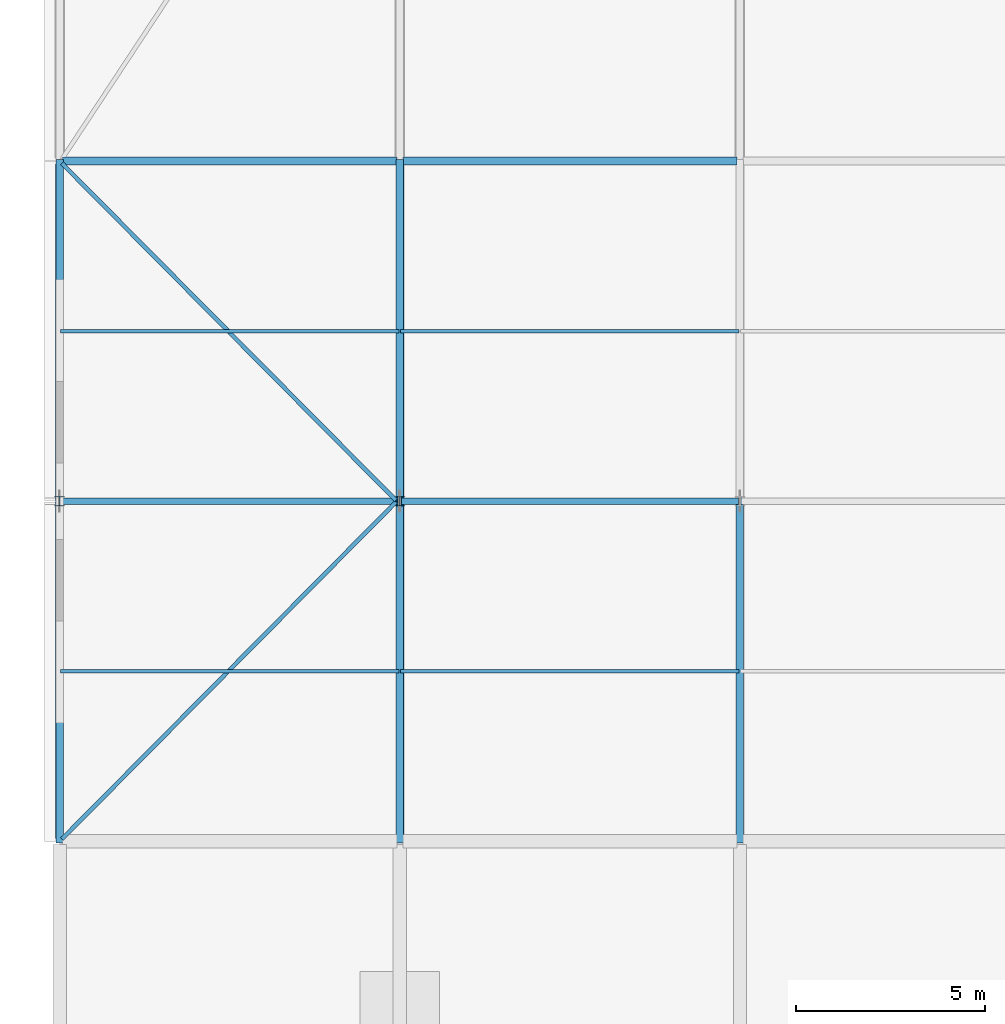
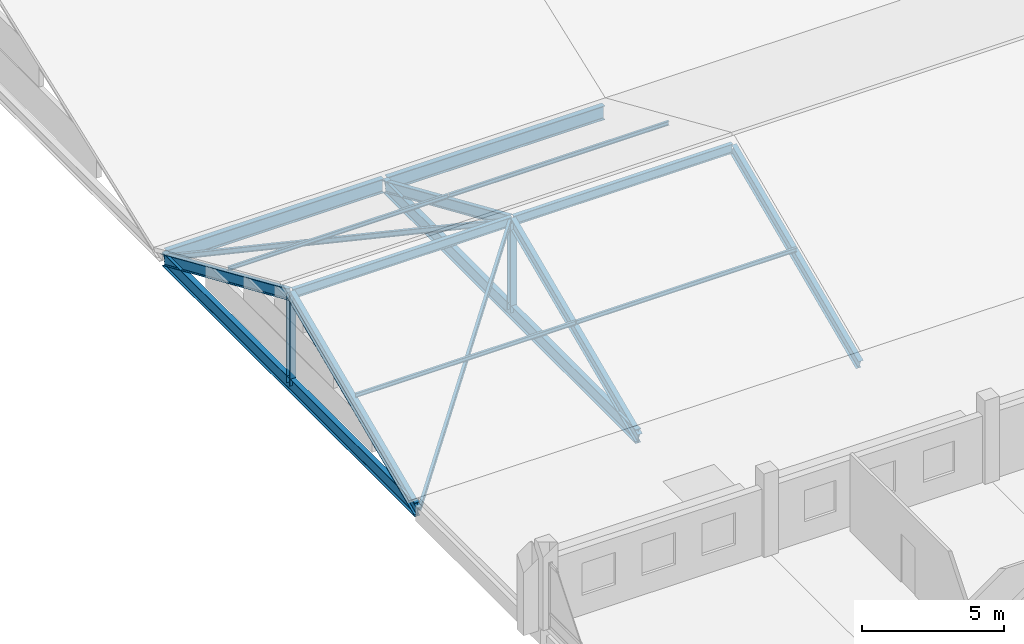
# One storey, part 15 of 163: 15 members, 4 beams.
"""IFC4 building model written with IfcOpenShell, lengths in metres."""

import ifcopenshell
import ifcopenshell.guid

model = None  # the IFC model being written
_history = None  # IfcOwnerHistory: only IFC2X3 demands one
_inside = {}  # id of a spatial element -> (the spatial element, [elements in it])
_under = {}  # id of a project, library or spatial element -> (it, [spatial elements below it])
_declared = {}  # id of a project -> (the project, [libraries it declares])
_typed = {}  # id of a type object -> (the type object, [elements of that type])
_made_of = {}  # id of a material, layer set ... -> (it, [elements and type objects made of it])


def new_model(schema):
    """Start an empty IFC model of exactly this schema.

    Asked for "IFC4X3", IfcOpenShell would pick the latest addendum, in which some entities
    have other attributes; the version numbers below select the first issue.
    IFC2X3 requires an IfcOwnerHistory on every rooted entity: one is made here for all.
    """
    global model, _history
    if schema == "IFC4X3":
        model = ifcopenshell.file(schema_version=(4, 3, 0, 0))
    else:
        model = ifcopenshell.file(schema=schema)
    _inside.clear()
    _under.clear()
    _declared.clear()
    _typed.clear()
    _made_of.clear()
    _history = None
    if model.schema == "IFC2X3":
        org = make("IfcOrganization", Name="unknown")
        user = make(
            "IfcPersonAndOrganization",
            ThePerson=make("IfcPerson", FamilyName="unknown"),
            TheOrganization=org,
        )
        app = make(
            "IfcApplication",
            ApplicationDeveloper=org,
            Version="unknown",
            ApplicationFullName="unknown",
            ApplicationIdentifier="unknown",
        )
        _history = make(
            "IfcOwnerHistory",
            OwningUser=user,
            OwningApplication=app,
            ChangeAction="ADDED",
            CreationDate=0,
        )
    return model


def make(cls, **values):
    """One entity of the class cls with the attributes given. An attribute that is None is left unset."""
    return model.create_entity(
        cls, **{name: value for name, value in values.items() if value is not None}
    )


def rooted(cls, **values):
    """An entity with a GlobalId (a new one), such as an element, a storey or a relation."""
    return make(cls, GlobalId=ifcopenshell.guid.new(), OwnerHistory=_history, **values)


def si_unit(unit_type, name, prefix=None):
    """IfcSIUnit, for example si_unit("LENGTHUNIT", "METRE", prefix="MILLI")."""
    return make("IfcSIUnit", UnitType=unit_type, Prefix=prefix, Name=name)


def assignment(units):
    """IfcUnitAssignment: the units of a project."""
    return None if units is None else make("IfcUnitAssignment", Units=units)


def point(xyz):
    """IfcCartesianPoint."""
    return None if xyz is None else make("IfcCartesianPoint", Coordinates=xyz)


def direction(xyz):
    """IfcDirection."""
    return None if xyz is None else make("IfcDirection", DirectionRatios=xyz)


def frame(location, z_axis=None, x_axis=None):
    """IfcAxis2Placement3D, a coordinate frame: its origin and axes. An axis left out is left unset."""
    return make(
        "IfcAxis2Placement3D",
        Location=point(location),
        Axis=direction(z_axis),
        RefDirection=direction(x_axis),
    )


def frame_2d(location, x_axis=None):
    """IfcAxis2Placement2D, a coordinate frame in the plane: its origin and x axis."""
    return make(
        "IfcAxis2Placement2D", Location=point(location), RefDirection=direction(x_axis)
    )


def origin():
    """The frame at (0, 0, 0) with its axes left unset."""
    return frame((0.0, 0.0, 0.0))


def origin_2d():
    """The frame at (0, 0) in the plane with its x axis left unset."""
    return frame_2d((0.0, 0.0))


def place(relative_to, where):
    """IfcLocalPlacement: puts the frame where relative to a parent placement (None: the world)."""
    return make(
        "IfcLocalPlacement", PlacementRelTo=relative_to, RelativePlacement=where
    )


def context(
    kind, dimensions, precision=None, world=None, true_north=None, identifier=None
):
    """IfcGeometricRepresentationContext, for example the 3D "Model" context."""
    return make(
        "IfcGeometricRepresentationContext",
        ContextIdentifier=identifier,
        ContextType=kind,
        CoordinateSpaceDimension=dimensions,
        Precision=precision,
        WorldCoordinateSystem=world,
        TrueNorth=true_north,
    )


def subcontext(parent, identifier, kind, view, scale=None):
    """IfcGeometricRepresentationSubContext, for example "Body" below "Model"."""
    return make(
        "IfcGeometricRepresentationSubContext",
        ContextIdentifier=identifier,
        ContextType=kind,
        ParentContext=parent,
        TargetScale=scale,
        TargetView=view,
    )


def project(units=None, contexts=None):
    """IfcProject with its units and contexts."""
    return rooted(
        "IfcProject",
        Name="project",
        RepresentationContexts=contexts,
        UnitsInContext=assignment(units),
    )


def spatial(cls, under=None, at=None, **own):
    """A site, building, storey or space (cls), placed at a placement, below another one or the project."""
    s = rooted(cls, ObjectPlacement=at, **own)
    if under is not None:
        _under.setdefault(under.id(), (under, []))[1].append(s)
    return s


def profile(cls, at=None, kind="AREA", **sizes):
    """A parametric profile (cls). Its sizes go by their IFC names, for example OverallWidth=200.0."""
    return make(cls, ProfileType=kind, Position=at, **sizes)


def i_section(**sizes):
    """IfcIShapeProfileDef."""
    return profile("IfcIShapeProfileDef", **sizes)


def extrude(swept, where, along, depth):
    """IfcExtrudedAreaSolid: the profile swept, set in the frame where, extruded along a direction by depth."""
    return make(
        "IfcExtrudedAreaSolid",
        SweptArea=swept,
        Position=where,
        ExtrudedDirection=direction(along),
        Depth=depth,
    )


def shape(context_of_items, identifier, shape_type, items):
    """IfcShapeRepresentation: the items that make up one representation, for example the "Body"."""
    return make(
        "IfcShapeRepresentation",
        ContextOfItems=context_of_items,
        RepresentationIdentifier=identifier,
        RepresentationType=shape_type,
        Items=items,
    )


def material(Name=None, Category=None):
    """IfcMaterial."""
    return make("IfcMaterial", Name=Name, Category=Category)


def material_profile(
    of_material, cross_section, Name=None, Category=None, Priority=None
):
    """IfcMaterialProfile: a cross section and its material."""
    return make(
        "IfcMaterialProfile",
        Name=Name,
        Material=of_material,
        Profile=cross_section,
        Priority=Priority,
        Category=Category,
    )


def profile_set(profiles, Name=None, composite=None):
    """IfcMaterialProfileSet."""
    return make(
        "IfcMaterialProfileSet",
        Name=Name,
        MaterialProfiles=profiles,
        CompositeProfile=composite,
    )


def made_of(thing, what):
    """Note that an element or type object is made of a material, layer set ...; save() writes the relation."""
    if what is not None:
        _made_of.setdefault(what.id(), (what, []))[1].append(thing)
    return thing


def type_object(cls, material=None, **own):
    """A type object (cls), such as IfcWallType, which elements share."""
    return made_of(rooted(cls, **own), material)


def element(
    cls,
    number,
    at=None,
    inside=None,
    cuts=None,
    type_object=None,
    material=None,
    context=None,
    identifier="Body",
    shape_type=None,
    held_by="IfcProductDefinitionShape",
    body=None,
    shapes=None,
    **own,
):
    """One element of the class cls, such as IfcWall. Its Tag is "e" and its number.

    at: its placement. inside: the storey or other place that contains it. cuts: it is an
    opening in that element (IfcRelVoidsElement). A single representation is given by context,
    identifier, shape_type and body (its items); several are given by shapes. held_by: the class
    of the entity that holds the representations. save() writes the other relations.
    """
    e = rooted(cls, Tag="e%d" % number, ObjectPlacement=at, **own)
    if body is not None:
        shapes = [shape(context, identifier, shape_type, body)]
    if shapes is not None:
        e.Representation = make(held_by, Representations=shapes)
    if inside is not None:
        _inside.setdefault(inside.id(), (inside, []))[1].append(e)
    if cuts is not None:
        rooted(
            "IfcRelVoidsElement", RelatingBuildingElement=cuts, RelatedOpeningElement=e
        )
    if type_object is not None:
        _typed.setdefault(type_object.id(), (type_object, []))[1].append(e)
    return made_of(e, material)


def aggregate(whole, parts):
    """IfcRelAggregates: a whole, such as a stair, and the parts it consists of."""
    return rooted("IfcRelAggregates", RelatingObject=whole, RelatedObjects=parts)


def save(model, path):
    """Write the relations noted so far, then the file.

    IfcRelAggregates (storeys below a building ...), IfcRelContainedInSpatialStructure (elements
    in a storey), IfcRelDefinesByType, IfcRelAssociatesMaterial and IfcRelDeclares: one each for
    every whole, place, type object, material and project.
    """
    for whole, parts in _under.values():
        aggregate(whole, parts)
    for where, things in _inside.values():
        rooted(
            "IfcRelContainedInSpatialStructure",
            RelatedElements=things,
            RelatingStructure=where,
        )
    for kind, things in _typed.values():
        rooted("IfcRelDefinesByType", RelatedObjects=things, RelatingType=kind)
    for what, things in _made_of.values():
        rooted("IfcRelAssociatesMaterial", RelatedObjects=things, RelatingMaterial=what)
    for by, libraries in _declared.values():
        rooted("IfcRelDeclares", RelatingContext=by, RelatedDefinitions=libraries)
    model.write(path)


model = new_model("IFC4")

# Units and contexts
model_context = context("Model", 3, precision=1e-05, world=origin(), true_north=direction((0.0, 1.0)))
body_context = subcontext(model_context, "Body", "Model", "MODEL_VIEW")
ifc_project = project(units=[si_unit("LENGTHUNIT", "METRE"), si_unit("AREAUNIT", "SQUARE_METRE"), si_unit("VOLUMEUNIT", "CUBIC_METRE"), si_unit("PLANEANGLEUNIT", "RADIAN"), si_unit("MASSUNIT", "GRAM", prefix="KILO")], contexts=[model_context])

# Site, building, storey
site_placement = place(None, origin())
site = spatial("IfcSite", under=ifc_project, at=site_placement, CompositionType="ELEMENT")
building_placement = place(site_placement, origin())
building = spatial("IfcBuilding", under=site, at=building_placement, Name="Tharagai Park Tramway Depot", CompositionType="ELEMENT")
storey_placement = place(building_placement, frame((0.0, 0.0, 8.39990234375)))
storey = spatial("IfcBuildingStorey", under=building, at=storey_placement, Name="L02", CompositionType="ELEMENT", Elevation=8.39990234375)

# Beams
ifc_material_1 = material(Name="Steel E350", Category="steel")
ifc_material_profile_1 = material_profile(ifc_material_1, i_section(OverallWidth=0.2099609375, OverallDepth=0.60009765625, WebThickness=0.011962890625, FlangeThickness=0.020751953125, FilletRadius=0.02001953125, at=origin_2d()), Name="ISMB 600")
ifc_profile_set_1 = profile_set([ifc_material_profile_1], Name="Steel E350")
beam_type = type_object("IfcBeamType", Name="BM-10", PredefinedType="BEAM", material=ifc_profile_set_1)
for number, where, z_axis, x_axis, name in (
    (1, (0.080078125, 63.0, -0.5498046875), (1.0, 0.0, 0.0), (0.0, 1.0, 0.0), "V2A Roof Eave Girder BM-10"),
    (2, (9.080078125, 63.0, -0.5498046875), (1.0, 0.0, 0.0), (0.0, 1.0, 0.0), "V2A Roof Eave Girder BM-10"),
):
    element("IfcBeam", number, at=place(storey_placement, frame(where, z_axis=z_axis, x_axis=x_axis)), inside=storey, type_object=beam_type, Name=name, PredefinedType="BEAM", context=body_context, shape_type="SweptSolid", body=[
        extrude(i_section(OverallWidth=0.2099609375, OverallDepth=0.60009765625, WebThickness=0.011962890625, FlangeThickness=0.020751953125, FilletRadius=0.02001953125, at=origin_2d()), origin(), (0.0, 0.0, 1.0), 8.83984375),
    ])
for number, where, z_axis, x_axis, name in (
    (3, (0.0, 45.080078125, -0.5498046875), (0.0, 1.0, 0.0), (-1.0, 0.0, 0.0), "V2A Gable Tie Girder BM-10"),
    (4, (9.0, 45.080078125, -0.5498046875), (0.0, 1.0, 0.0), (-1.0, 0.0, 0.0), "V2A Gable Tie Girder BM-10"),
):
    element("IfcBeam", number, at=place(storey_placement, frame(where, z_axis=z_axis, x_axis=x_axis)), inside=storey, type_object=beam_type, Name=name, PredefinedType="BEAM", context=body_context, shape_type="SweptSolid", body=[
        extrude(i_section(OverallWidth=0.2099609375, OverallDepth=0.60009765625, WebThickness=0.011962890625, FlangeThickness=0.020751953125, FilletRadius=0.02001953125, at=origin_2d()), origin(), (0.0, 0.0, 1.0), 17.83984375),
    ])

# Members
ifc_material_profile_2 = material_profile(ifc_material_1, i_section(OverallWidth=0.25, OverallDepth=0.25, WebThickness=0.0087890625, FlangeThickness=0.009765625, FilletRadius=0.010009765625, at=origin_2d()), Name="ISHB 250")
ifc_profile_set_2 = profile_set([ifc_material_profile_2], Name="Steel E350")
member_type_1 = type_object("IfcMemberType", Name="BR-01", PredefinedType="BRACE", material=ifc_profile_set_2)
for number, where, z_axis, x_axis, name in (
    (5, (0.0, 54.0, -0.5498046875), (0.0, 0.0, 1.0), (1.0, 0.0, 0.0), "V2A Gable King Strut BR-01"),
    (6, (9.0, 54.0, -0.5498046875), (0.0, 0.0, 1.0), (1.0, 0.0, 0.0), "V2A Gable King Strut BR-01"),
):
    element("IfcMember", number, at=place(storey_placement, frame(where, z_axis=z_axis, x_axis=x_axis)), inside=storey, type_object=member_type_1, Name=name, PredefinedType="BRACE", context=body_context, shape_type="SweptSolid", body=[
        extrude(i_section(OverallWidth=0.25, OverallDepth=0.25, WebThickness=0.0087890625, FlangeThickness=0.009765625, FilletRadius=0.010009765625, at=origin_2d()), origin(), (0.0, 0.0, 1.0), 3.85791015625),
    ])
ifc_material_profile_3 = material_profile(ifc_material_1, i_section(OverallWidth=0.110107421875, OverallDepth=0.22509765625, WebThickness=0.006591796875, FlangeThickness=0.01171875, FilletRadius=0.011962890625, at=origin_2d()), Name="ISMB 225")
ifc_profile_set_3 = profile_set([ifc_material_profile_3], Name="Steel E350")
member_type_2 = type_object("IfcMemberType", Name="BR-04", PredefinedType="BRACE", material=ifc_profile_set_3)
for number, where, z_axis, x_axis, name in (
    (7, (0.080078125, 45.080078125, -0.5498046875), (0.672500683925, 0.678592713983, 0.295389164747), (-0.710287879152, 0.703911307432, 0.0), "V2A Roof Wind Brace BR-04"),
    (8, (0.080078125, 62.919921875, -0.5498046875), (0.672500683925, -0.678592713983, 0.295389164747), (0.710287879152, 0.703911307432, 0.0), "V2A Roof Wind Brace BR-04"),
):
    element("IfcMember", number, at=place(storey_placement, frame(where, z_axis=z_axis, x_axis=x_axis)), inside=storey, type_object=member_type_2, Name=name, PredefinedType="BRACE", context=body_context, shape_type="SweptSolid", body=[
        extrude(i_section(OverallWidth=0.110107421875, OverallDepth=0.22509765625, WebThickness=0.006591796875, FlangeThickness=0.01171875, FilletRadius=0.011962890625, at=origin_2d()), origin(), (0.0, 0.0, 1.0), 13.144775390625),
    ])
ifc_material_2 = material(Name="Steel E250", Category="steel")
ifc_material_profile_4 = material_profile(ifc_material_2, i_section(OverallWidth=0.090087890625, OverallDepth=0.175048828125, WebThickness=0.005615234375, FlangeThickness=0.009033203125, FilletRadius=0.010009765625, at=origin_2d()), Name="ISMB 175")
ifc_profile_set_4 = profile_set([ifc_material_profile_4], Name="Steel E250")
member_type_3 = type_object("IfcMemberType", Name="PR-01", PredefinedType="PURLIN", material=ifc_profile_set_4)
for number, where, z_axis, x_axis, name in (
    (9, (0.02001953125, 49.5, 1.6689453125), (1.0, 0.0, 0.0), (0.0, 1.0, 0.0), "V2A Roof Purlin PR-01"),
    (10, (0.02001953125, 58.5, 1.6689453125), (1.0, 0.0, 0.0), (0.0, 1.0, 0.0), "V2A Roof Purlin PR-01"),
    (11, (9.02001953125, 49.5, 1.6689453125), (1.0, 0.0, 0.0), (0.0, 1.0, 0.0), "V2A Roof Purlin PR-01"),
    (12, (9.02001953125, 58.5, 1.6689453125), (1.0, 0.0, 0.0), (0.0, 1.0, 0.0), "V2A Roof Purlin PR-01"),
):
    element("IfcMember", number, at=place(storey_placement, frame(where, z_axis=z_axis, x_axis=x_axis)), inside=storey, type_object=member_type_3, Name=name, PredefinedType="PURLIN", context=body_context, shape_type="SweptSolid", body=[
        extrude(i_section(OverallWidth=0.090087890625, OverallDepth=0.175048828125, WebThickness=0.005615234375, FlangeThickness=0.009033203125, FilletRadius=0.010009765625, at=origin_2d()), origin(), (0.0, 0.0, 1.0), 8.9599609375),
    ])
ifc_material_profile_5 = material_profile(ifc_material_1, i_section(OverallWidth=0.199951171875, OverallDepth=0.449951171875, WebThickness=0.00927734375, FlangeThickness=0.015380859375, FilletRadius=0.014892578125, at=origin_2d()), Name="ISWB 450")
ifc_profile_set_5 = profile_set([ifc_material_profile_5], Name="Steel E350")
member_type_4 = type_object("IfcMemberType", Name="RF-03", PredefinedType="RAFTER", material=ifc_profile_set_5)
for number, where, z_axis, x_axis, name in (
    (13, (0.0, 45.050048828125, -0.605224609375), (0.0, 0.916242784214, 0.400623464584), (-1.0, 0.0, 0.0), "V2A Pitched Rafter RF-03 South"),
    (14, (0.0, 54.0, 3.30810546875), (0.0, 0.916242784214, -0.400623464584), (-1.0, 0.0, 0.0), "V2A Pitched Rafter RF-03 North"),
    (15, (9.0, 45.050048828125, -0.605224609375), (0.0, 0.916242784214, 0.400623464584), (-1.0, 0.0, 0.0), "V2A Pitched Rafter RF-03 South"),
    (16, (9.0, 54.0, 3.30810546875), (0.0, 0.916242784214, -0.400623464584), (-1.0, 0.0, 0.0), "V2A Pitched Rafter RF-03 North"),
    (17, (18.0, 45.050048828125, -0.605224609375), (0.0, 0.916242784214, 0.400623464584), (-1.0, 0.0, 0.0), "V2A Pitched Rafter RF-03 South"),
):
    element("IfcMember", number, at=place(storey_placement, frame(where, z_axis=z_axis, x_axis=x_axis)), inside=storey, type_object=member_type_4, Name=name, PredefinedType="RAFTER", context=body_context, shape_type="SweptSolid", body=[
        extrude(i_section(OverallWidth=0.199951171875, OverallDepth=0.449951171875, WebThickness=0.00927734375, FlangeThickness=0.015380859375, FilletRadius=0.014892578125, at=origin_2d()), origin(), (0.0, 0.0, 1.0), 9.76806640625),
    ])
ifc_material_profile_6 = material_profile(ifc_material_1, i_section(OverallWidth=0.1650390625, OverallDepth=0.39990234375, WebThickness=0.008056640625, FlangeThickness=0.012451171875, FilletRadius=0.013916015625, at=origin_2d()), Name="ISLB 400")
ifc_profile_set_6 = profile_set([ifc_material_profile_6], Name="Steel E350")
member_type_5 = type_object("IfcMemberType", Name="TC-04", PredefinedType="CHORD", material=ifc_profile_set_6)
for number, where, z_axis, x_axis, name in (
    (18, (0.0400390625, 54.0, 3.3330078125), (1.0, 0.0, 0.0), (0.0, 1.0, 0.0), "V2A Roof Ridge Chord TC-04"),
    (19, (9.0400390625, 54.0, 3.3330078125), (1.0, 0.0, 0.0), (0.0, 1.0, 0.0), "V2A Roof Ridge Chord TC-04"),
):
    element("IfcMember", number, at=place(storey_placement, frame(where, z_axis=z_axis, x_axis=x_axis)), inside=storey, type_object=member_type_5, Name=name, PredefinedType="CHORD", context=body_context, shape_type="SweptSolid", body=[
        extrude(i_section(OverallWidth=0.1650390625, OverallDepth=0.39990234375, WebThickness=0.008056640625, FlangeThickness=0.012451171875, FilletRadius=0.013916015625, at=origin_2d()), origin(), (0.0, 0.0, 1.0), 8.919921875),
    ])

save(model, "model.ifc")
